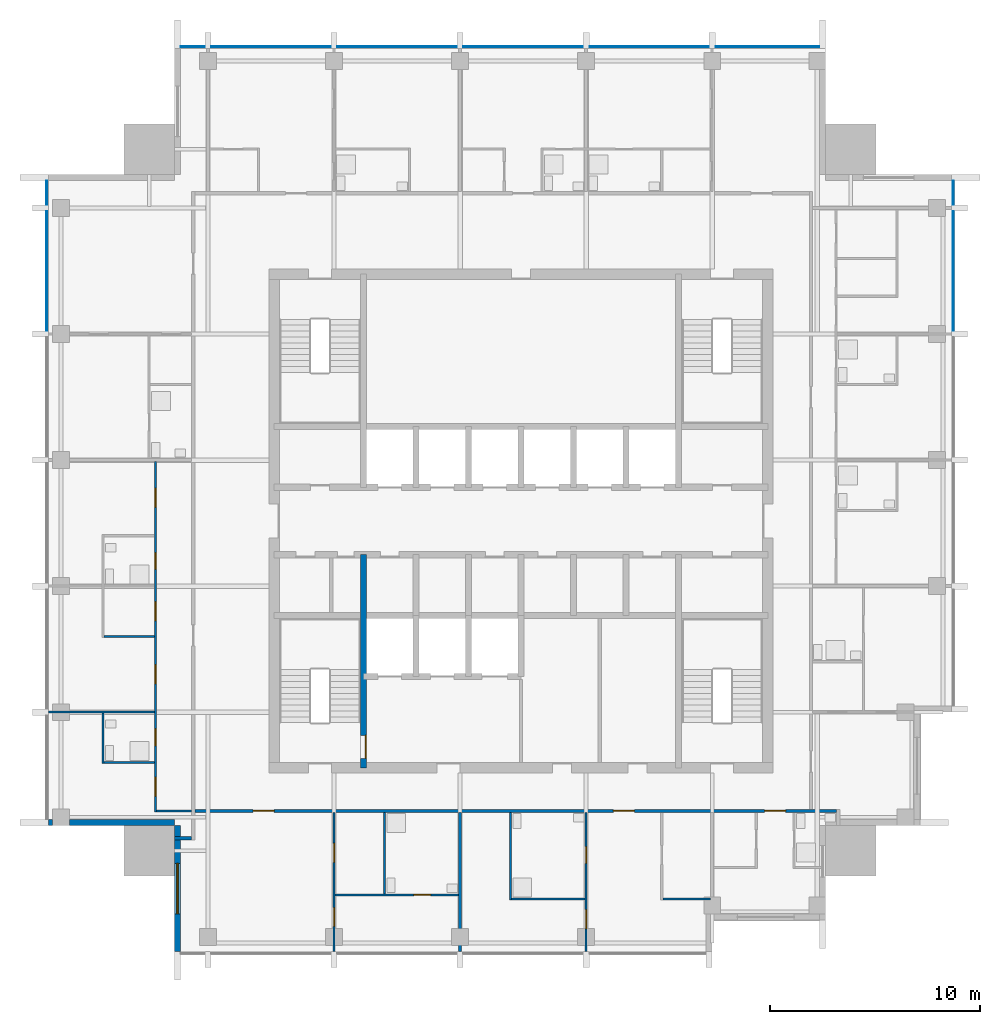
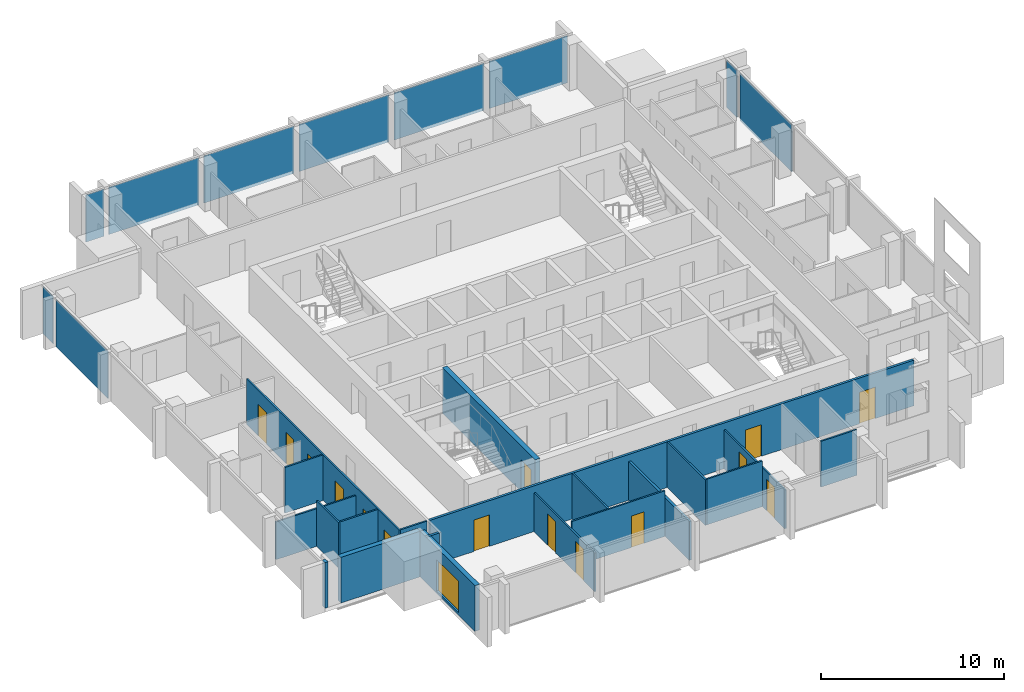
# One storey, part 3 of 9: 20 walls, 15 doors, 10 plates, 1 window, 16 openings, 3 elements without a shape of their own.
"""IFC4 building model written with IfcOpenShell, lengths in metres."""

from ifc_helpers import new_model, si_unit, direction, frame, frame_2d, origin, origin_2d, place, context, subcontext, project, spatial, rectangle, extrude, material, layer, layer_set, type_object, element, fill, aggregate, save


model = new_model("IFC4")

# Units and contexts
model_context = context("Model", 3, precision=1e-05, world=origin(), true_north=direction((0.0, 1.0)))
body_context = subcontext(model_context, "Body", "Model", "MODEL_VIEW")
ifc_project = project(units=[si_unit("LENGTHUNIT", "METRE"), si_unit("AREAUNIT", "SQUARE_METRE"), si_unit("VOLUMEUNIT", "CUBIC_METRE"), si_unit("PLANEANGLEUNIT", "RADIAN"), si_unit("MASSUNIT", "GRAM", prefix="KILO")], contexts=[model_context])

# Site, building, storey
site_placement = place(None, origin())
site = spatial("IfcSite", under=ifc_project, at=site_placement, CompositionType="ELEMENT")
building_placement = place(site_placement, origin())
building = spatial("IfcBuilding", under=site, at=building_placement, Name="Amberfall Residences", CompositionType="ELEMENT")
storey_placement = place(building_placement, frame((0.0, 0.0, 258.699951171875)))
storey = spatial("IfcBuildingStorey", under=building, at=storey_placement, Name="L69", CompositionType="ELEMENT", Elevation=258.699951171875)

# Curtain wall, plates
ifc_material_1 = material(Name="Bronze anodised aluminium and glass", Category="aluminium")
curtain_wall_type = type_object("IfcCurtainWallType", Name="Curtain wall CW1 tower unit", PredefinedType="USERDEFINED", material=ifc_material_1)
curtain_wall_1_placement = place(storey_placement, origin())
curtain_wall_1 = element("IfcCurtainWall", 1, at=curtain_wall_1_placement, inside=storey, type_object=curtain_wall_type, Name="Curtain wall L69 E E3", ObjectType="UNITISED CURTAIN WALL", PredefinedType="USERDEFINED")
ifc_material_2 = material(Name="Tinted double glazed unit", Category="glass")
ifc_layer_1 = layer(ifc_material_2, 0.035888671875)
ifc_layer_set_1 = layer_set([ifc_layer_1], Name="CW1 panel 36 glazing")
plate_type = type_object("IfcPlateType", Name="CW1 panel 36 glazing", PredefinedType="CURTAIN_PANEL", material=ifc_layer_set_1)
plate_1_placement = place(storey_placement, frame((95.074951171875, 57.39990234375, -0.25), z_axis=(0.0, 0.0, 1.0), x_axis=(0.0, 1.0, 0.0)))
plate_1 = element("IfcPlate", 2, at=plate_1_placement, type_object=plate_type, Name="CW1 panel 4.1", PredefinedType="CURTAIN_PANEL", context=body_context, shape_type="SweptSolid", body=[
    extrude(rectangle(XDim=5.676025390625, YDim=0.035888671875, at=origin_2d()), origin(), (0.0, 0.0, 1.0), 3.14990234375),
])
plate_2_placement = place(storey_placement, frame((95.074951171875, 61.125, -0.25), z_axis=(0.0, 0.0, 1.0), x_axis=(0.0, 1.0, 0.0)))
plate_2 = element("IfcPlate", 3, at=plate_2_placement, type_object=plate_type, Name="CW1 panel 5.1", PredefinedType="CURTAIN_PANEL", context=body_context, shape_type="SweptSolid", body=[
    extrude(rectangle(XDim=1.1259765625, YDim=0.035888671875, at=origin_2d()), origin(), (0.0, 0.0, 1.0), 3.14990234375),
])
aggregate(curtain_wall_1, [plate_1, plate_2])

curtain_wall_2_placement = place(storey_placement, origin())
curtain_wall_2 = element("IfcCurtainWall", 4, at=curtain_wall_2_placement, inside=storey, type_object=curtain_wall_type, Name="Curtain wall L69 N N1", ObjectType="UNITISED CURTAIN WALL", PredefinedType="USERDEFINED")
plate_3_placement = place(storey_placement, frame((86.22509765625, 68.074951171875, -0.25), z_axis=(0.0, 0.0, 1.0), x_axis=(-1.0, 0.0, 0.0)))
plate_3 = element("IfcPlate", 5, at=plate_3_placement, type_object=plate_type, Name="CW1 panel 1.1", PredefinedType="CURTAIN_PANEL", context=body_context, shape_type="SweptSolid", body=[
    extrude(rectangle(XDim=4.926025390625, YDim=0.035888671875, at=origin_2d()), origin(), (0.0, 0.0, 1.0), 3.14990234375),
])
plate_4_placement = place(storey_placement, frame((80.60009765625, 68.074951171875, -0.25), z_axis=(0.0, 0.0, 1.0), x_axis=(-1.0, 0.0, 0.0)))
plate_4 = element("IfcPlate", 6, at=plate_4_placement, type_object=plate_type, Name="CW1 panel 2.1", PredefinedType="CURTAIN_PANEL", context=body_context, shape_type="SweptSolid", body=[
    extrude(rectangle(XDim=5.676025390625, YDim=0.035888671875, at=origin_2d()), origin(), (0.0, 0.0, 1.0), 3.14990234375),
])
plate_5_placement = place(storey_placement, frame((74.60009765625, 68.074951171875, -0.25), z_axis=(0.0, 0.0, 1.0), x_axis=(-1.0, 0.0, 0.0)))
plate_5 = element("IfcPlate", 7, at=plate_5_placement, type_object=plate_type, Name="CW1 panel 3.1", PredefinedType="CURTAIN_PANEL", context=body_context, shape_type="SweptSolid", body=[
    extrude(rectangle(XDim=5.676025390625, YDim=0.035888671875, at=origin_2d()), origin(), (0.0, 0.0, 1.0), 3.14990234375),
])
plate_6_placement = place(storey_placement, frame((68.60009765625, 68.074951171875, -0.25), z_axis=(0.0, 0.0, 1.0), x_axis=(-1.0, 0.0, 0.0)))
plate_6 = element("IfcPlate", 8, at=plate_6_placement, type_object=plate_type, Name="CW1 panel 4.1", PredefinedType="CURTAIN_PANEL", context=body_context, shape_type="SweptSolid", body=[
    extrude(rectangle(XDim=5.676025390625, YDim=0.035888671875, at=origin_2d()), origin(), (0.0, 0.0, 1.0), 3.14990234375),
])
plate_7_placement = place(storey_placement, frame((62.60009765625, 68.074951171875, -0.25), z_axis=(0.0, 0.0, 1.0), x_axis=(-1.0, 0.0, 0.0)))
plate_7 = element("IfcPlate", 9, at=plate_7_placement, type_object=plate_type, Name="CW1 panel 5.1", PredefinedType="CURTAIN_PANEL", context=body_context, shape_type="SweptSolid", body=[
    extrude(rectangle(XDim=5.676025390625, YDim=0.035888671875, at=origin_2d()), origin(), (0.0, 0.0, 1.0), 3.14990234375),
])
plate_8_placement = place(storey_placement, frame((58.875, 68.074951171875, -0.25), z_axis=(0.0, 0.0, 1.0), x_axis=(-1.0, 0.0, 0.0)))
plate_8 = element("IfcPlate", 10, at=plate_8_placement, type_object=plate_type, Name="CW1 panel 6.1", PredefinedType="CURTAIN_PANEL", context=body_context, shape_type="SweptSolid", body=[
    extrude(rectangle(XDim=1.1259765625, YDim=0.035888671875, at=origin_2d()), origin(), (0.0, 0.0, 1.0), 3.14990234375),
])
aggregate(curtain_wall_2, [plate_3, plate_4, plate_5, plate_6, plate_7, plate_8])

curtain_wall_3_placement = place(storey_placement, origin())
curtain_wall_3 = element("IfcCurtainWall", 11, at=curtain_wall_3_placement, inside=storey, type_object=curtain_wall_type, Name="Curtain wall L69 W W1", ObjectType="UNITISED CURTAIN WALL", PredefinedType="USERDEFINED")
plate_9_placement = place(storey_placement, frame((51.925048828125, 61.125, -0.25), z_axis=(0.0, 0.0, 1.0), x_axis=(0.0, -1.0, 0.0)))
plate_9 = element("IfcPlate", 12, at=plate_9_placement, type_object=plate_type, Name="CW1 panel 1.1", PredefinedType="CURTAIN_PANEL", context=body_context, shape_type="SweptSolid", body=[
    extrude(rectangle(XDim=1.1259765625, YDim=0.035888671875, at=origin_2d()), origin(), (0.0, 0.0, 1.0), 3.14990234375),
])
plate_10_placement = place(storey_placement, frame((51.925048828125, 57.39990234375, -0.25), z_axis=(0.0, 0.0, 1.0), x_axis=(0.0, -1.0, 0.0)))
plate_10 = element("IfcPlate", 13, at=plate_10_placement, type_object=plate_type, Name="CW1 panel 2.1", PredefinedType="CURTAIN_PANEL", context=body_context, shape_type="SweptSolid", body=[
    extrude(rectangle(XDim=5.676025390625, YDim=0.035888671875, at=origin_2d()), origin(), (0.0, 0.0, 1.0), 3.14990234375),
])
aggregate(curtain_wall_3, [plate_9, plate_10])

# Walls
ifc_material_3 = material(Name="Pale stone cladding on insulated backing", Category="masonry")
ifc_layer_2 = layer(ifc_material_3, 0.300048828125)
ifc_layer_set_2 = layer_set([ifc_layer_2], Name="Bronze clad wall 300")
wall_type_1 = type_object("IfcWallType", Name="Bronze clad wall 300", PredefinedType="SOLIDWALL", material=ifc_layer_set_2)
wall_1_placement = place(storey_placement, frame((52.0, 31.14990234375, 0.0), z_axis=(0.0, 0.0, 1.0), x_axis=(1.0, 0.0, 0.0)))
element("IfcWall", 14, at=wall_1_placement, inside=storey, type_object=wall_type_1, Name="External wall L69 SW", PredefinedType="SOLIDWALL", context=body_context, shape_type="SweptSolid", body=[
    extrude(rectangle(XDim=0.199951171875, YDim=0.300048828125, at=frame_2d((0.10009765625, 0.0))), origin(), (0.0, 0.0, 1.0), 3.050048828125),
])
wall_2_placement = place(storey_placement, frame((53.0, 31.14990234375, 0.0), z_axis=(0.0, 0.0, 1.0), x_axis=(1.0, 0.0, 0.0)))
element("IfcWall", 15, at=wall_2_placement, inside=storey, type_object=wall_type_1, Name="External wall L69 SW", PredefinedType="SOLIDWALL", context=body_context, shape_type="SweptSolid", body=[
    extrude(rectangle(XDim=5.0, YDim=0.300048828125, at=frame_2d((2.5, 0.0))), origin(), (0.0, 0.0, 1.0), 3.050048828125),
])

# Wall, opening, window
wall_3_placement = place(storey_placement, frame((58.14990234375, 31.0, 0.0), z_axis=(0.0, 0.0, 1.0), x_axis=(0.0, -1.0, 0.0)))
wall_3 = element("IfcWall", 16, at=wall_3_placement, inside=storey, type_object=wall_type_1, Name="External wall L69 SW", PredefinedType="SOLIDWALL", context=body_context, shape_type="SweptSolid", body=[
    extrude(rectangle(XDim=6.0, YDim=0.300048828125, at=frame_2d((3.0, 0.0))), origin(), (0.0, 0.0, 1.0), 3.050048828125),
])
opening_1_placement = place(wall_3_placement, frame((1.800048828125, 0.0, 0.14990234375)))
opening_1 = element("IfcOpeningElement", 17, at=opening_1_placement, cuts=wall_3, Name="Opening WN5", PredefinedType="OPENING", context=body_context, shape_type="SweptSolid", body=[
    extrude(rectangle(XDim=2.39990234375, YDim=2.10009765625, at=frame_2d((1.199951171875, 1.050048828125))), frame((0.0, 0.159912109375, 0.0), z_axis=(0.0, -1.0, 0.0), x_axis=(1.0, 0.0, 0.0)), (0.0, 0.0, 1.0), 0.320068359375),
])
ifc_material_4 = material(Name="Bronze aluminium framed glazing", Category="aluminium")
window_type = type_object("IfcWindowType", Name="Glazed opening 2400 x 2100 bronze", PartitioningType="DOUBLE_PANEL_VERTICAL", PredefinedType="WINDOW", material=ifc_material_4)
window_placement = place(opening_1_placement, origin())
window = element("IfcWindow", 18, at=window_placement, inside=storey, type_object=window_type, Name="Window L69 SW", OverallHeight=2.10009765625, OverallWidth=2.39990234375, PartitioningType="DOUBLE_PANEL_VERTICAL", PredefinedType="WINDOW", context=body_context, shape_type="SweptSolid", body=[
    extrude(rectangle(XDim=2.39990234375, YDim=2.10009765625, at=frame_2d((1.199951171875, 1.050048828125))), frame((0.0, 0.030029296875, 0.0), z_axis=(0.0, -1.0, 0.0), x_axis=(1.0, 0.0, 0.0)), (0.0, 0.0, 1.0), 0.06005859375),
])
fill(opening_1, window)

# Wall, opening, door
ifc_material_5 = material(Name="Concrete C50", Category="concrete")
ifc_layer_3 = layer(ifc_material_5, 0.300048828125)
ifc_layer_set_3 = layer_set([ifc_layer_3], Name="Core wall 300 C50")
wall_type_2 = type_object("IfcWallType", Name="Core wall 300 C50", PredefinedType="SHEAR", material=ifc_layer_set_3)
wall_4_placement = place(storey_placement, frame((67.0, 33.75, 0.0), z_axis=(0.0, 0.0, 1.0), x_axis=(0.0, 1.0, 0.0)))
wall_4 = element("IfcWall", 19, at=wall_4_placement, inside=storey, type_object=wall_type_2, Name="Core wall RW10 L69 V45S", PredefinedType="SHEAR", context=body_context, shape_type="SweptSolid", body=[
    extrude(rectangle(XDim=10.14990234375, YDim=0.300048828125, at=frame_2d((5.074951171875, 0.0))), origin(), (0.0, 0.0, 1.0), 3.050048828125),
])
opening_2_placement = place(wall_4_placement, frame((0.449951171875, 0.0, 0.0)))
opening_2 = element("IfcOpeningElement", 20, at=opening_2_placement, cuts=wall_4, Name="Opening FL1", PredefinedType="OPENING", context=body_context, shape_type="SweptSolid", body=[
    extrude(rectangle(XDim=1.10009765625, YDim=2.10009765625, at=frame_2d((0.550048828125, 1.050048828125))), frame((0.0, 0.159912109375, 0.0), z_axis=(0.0, -1.0, 0.0), x_axis=(1.0, 0.0, 0.0)), (0.0, 0.0, 1.0), 0.320068359375),
])
ifc_material_6 = material(Name="Steel fire door set", Category="steel")
door_type_1 = type_object("IfcDoorType", Name="Firefighting lobby door 1100 x 2100", OperationType="SINGLE_SWING_LEFT", PredefinedType="DOOR", material=ifc_material_6)
door_1_placement = place(opening_2_placement, origin())
door_1 = element("IfcDoor", 21, at=door_1_placement, inside=storey, type_object=door_type_1, Name="FL1 L69", OperationType="SINGLE_SWING_RIGHT", OverallHeight=2.10009765625, OverallWidth=1.10009765625, PredefinedType="DOOR", context=body_context, shape_type="SweptSolid", body=[
    extrude(rectangle(XDim=1.10009765625, YDim=2.10009765625, at=frame_2d((0.550048828125, 1.050048828125))), frame((0.0, -0.08740234375, 0.0), z_axis=(0.0, -1.0, 0.0), x_axis=(1.0, 0.0, 0.0)), (0.0, 0.0, 1.0), 0.050048828125),
])
fill(opening_2, door_1)

# Wall
ifc_material_7 = material(Name="Gypsum board on metal stud")
ifc_layer_4 = layer(ifc_material_7, 0.10009765625)
ifc_layer_set_4 = layer_set([ifc_layer_4], Name="Flat partition 100")
wall_type_3 = type_object("IfcWallType", Name="Flat partition 100", PredefinedType="PARTITIONING", material=ifc_layer_set_4)
wall_5_placement = place(storey_placement, frame((54.60009765625, 33.949951171875, 0.0), z_axis=(0.0, 0.0, 1.0), x_axis=(0.0, 1.0, 0.0)))
element("IfcWall", 22, at=wall_5_placement, inside=storey, type_object=wall_type_3, Name="Partition 001", PredefinedType="PARTITIONING", context=body_context, shape_type="SweptSolid", body=[
    extrude(rectangle(XDim=2.400146484375, YDim=0.10009765625, at=frame_2d((1.2001953125, 0.0))), origin(), (0.0, 0.0, 1.0), 3.050048828125),
])

# Wall, openings, doors
wall_6_placement = place(storey_placement, frame((57.10009765625, 31.64990234375, 0.0), z_axis=(0.0, 0.0, 1.0), x_axis=(0.0, 1.0, 0.0)))
wall_6 = element("IfcWall", 23, at=wall_6_placement, inside=storey, type_object=wall_type_3, Name="Partition 004", PredefinedType="PARTITIONING", context=body_context, shape_type="SweptSolid", body=[
    extrude(rectangle(XDim=16.675048828125, YDim=0.10009765625, at=frame_2d((8.33740234375, 0.0))), origin(), (0.0, 0.0, 1.0), 3.050048828125),
])
opening_3_placement = place(wall_6_placement, frame((6.10009765625, 0.0, 0.0)))
opening_3 = element("IfcOpeningElement", 24, at=opening_3_placement, cuts=wall_6, Name="Opening D41", PredefinedType="OPENING", context=body_context, shape_type="SweptSolid", body=[
    extrude(rectangle(XDim=0.89990234375, YDim=2.10009765625, at=frame_2d((0.449951171875, 1.050048828125))), frame((0.0, 0.06005859375, 0.0), z_axis=(0.0, -1.0, 0.0), x_axis=(1.0, 0.0, 0.0)), (0.0, 0.0, 1.0), 0.1201171875),
])
opening_4_placement = place(wall_6_placement, frame((9.10009765625, 0.0, 0.0)))
opening_4 = element("IfcOpeningElement", 25, at=opening_4_placement, cuts=wall_6, Name="Opening D41", PredefinedType="OPENING", context=body_context, shape_type="SweptSolid", body=[
    extrude(rectangle(XDim=0.89990234375, YDim=2.10009765625, at=frame_2d((0.449951171875, 1.050048828125))), frame((0.0, 0.06005859375, 0.0), z_axis=(0.0, -1.0, 0.0), x_axis=(1.0, 0.0, 0.0)), (0.0, 0.0, 1.0), 0.1201171875),
])
opening_5_placement = place(wall_6_placement, frame((0.75, 0.0, 0.0)))
opening_5 = element("IfcOpeningElement", 26, at=opening_5_placement, cuts=wall_6, Name="Opening D41", PredefinedType="OPENING", context=body_context, shape_type="SweptSolid", body=[
    extrude(rectangle(XDim=0.89990234375, YDim=2.10009765625, at=frame_2d((0.449951171875, 1.050048828125))), frame((0.0, 0.06005859375, 0.0), z_axis=(0.0, -1.0, 0.0), x_axis=(1.0, 0.0, 0.0)), (0.0, 0.0, 1.0), 0.1201171875),
])
opening_6_placement = place(wall_6_placement, frame((14.5, 0.0, 0.0)))
opening_6 = element("IfcOpeningElement", 27, at=opening_6_placement, cuts=wall_6, Name="Opening D41", PredefinedType="OPENING", context=body_context, shape_type="SweptSolid", body=[
    extrude(rectangle(XDim=0.89990234375, YDim=2.10009765625, at=frame_2d((0.449951171875, 1.050048828125))), frame((0.0, 0.06005859375, 0.0), z_axis=(0.0, -1.0, 0.0), x_axis=(1.0, 0.0, 0.0)), (0.0, 0.0, 1.0), 0.1201171875),
])
opening_7_placement = place(wall_6_placement, frame((3.14990234375, 0.0, 0.0)))
opening_7 = element("IfcOpeningElement", 28, at=opening_7_placement, cuts=wall_6, Name="Opening D42", PredefinedType="OPENING", context=body_context, shape_type="SweptSolid", body=[
    extrude(rectangle(XDim=0.800048828125, YDim=2.10009765625, at=frame_2d((0.39990234375, 1.050048828125))), frame((0.0, 0.06005859375, 0.0), z_axis=(0.0, -1.0, 0.0), x_axis=(1.0, 0.0, 0.0)), (0.0, 0.0, 1.0), 0.1201171875),
])
opening_8_placement = place(wall_6_placement, frame((11.550048828125, 0.0, 0.0)))
opening_8 = element("IfcOpeningElement", 29, at=opening_8_placement, cuts=wall_6, Name="Opening D42", PredefinedType="OPENING", context=body_context, shape_type="SweptSolid", body=[
    extrude(rectangle(XDim=0.800048828125, YDim=2.10009765625, at=frame_2d((0.39990234375, 1.050048828125))), frame((0.0, 0.06005859375, 0.0), z_axis=(0.0, -1.0, 0.0), x_axis=(1.0, 0.0, 0.0)), (0.0, 0.0, 1.0), 0.1201171875),
])
ifc_material_8 = material(Name="Timber", Category="wood")
door_type_2 = type_object("IfcDoorType", Name="Bathroom door 800 x 2100", OperationType="SINGLE_SWING_LEFT", PredefinedType="DOOR", material=ifc_material_8)
door_2_placement = place(opening_7_placement, origin())
door_2 = element("IfcDoor", 30, at=door_2_placement, inside=storey, type_object=door_type_2, Name="Door 6909 bath1", OperationType="SINGLE_SWING_LEFT", OverallHeight=2.10009765625, OverallWidth=0.800048828125, PredefinedType="DOOR", context=body_context, shape_type="SweptSolid", body=[
    extrude(rectangle(XDim=0.800048828125, YDim=2.10009765625, at=frame_2d((0.39990234375, 1.050048828125))), frame((0.0, 0.02490234375, 0.0), z_axis=(0.0, -1.0, 0.0), x_axis=(1.0, 0.0, 0.0)), (0.0, 0.0, 1.0), 0.050048828125),
])
fill(opening_7, door_2)
door_3_placement = place(opening_8_placement, origin())
door_3 = element("IfcDoor", 31, at=door_3_placement, inside=storey, type_object=door_type_2, Name="Door 6909 bath2", OperationType="SINGLE_SWING_LEFT", OverallHeight=2.10009765625, OverallWidth=0.800048828125, PredefinedType="DOOR", context=body_context, shape_type="SweptSolid", body=[
    extrude(rectangle(XDim=0.800048828125, YDim=2.10009765625, at=frame_2d((0.39990234375, 1.050048828125))), frame((0.0, 0.02490234375, 0.0), z_axis=(0.0, -1.0, 0.0), x_axis=(1.0, 0.0, 0.0)), (0.0, 0.0, 1.0), 0.050048828125),
])
fill(opening_8, door_3)
door_type_3 = type_object("IfcDoorType", Name="Internal door 900 x 2100", OperationType="SINGLE_SWING_LEFT", PredefinedType="DOOR", material=ifc_material_8)
door_4_placement = place(opening_3_placement, origin())
door_4 = element("IfcDoor", 32, at=door_4_placement, inside=storey, type_object=door_type_3, Name="Door 6909 living", OperationType="SINGLE_SWING_LEFT", OverallHeight=2.10009765625, OverallWidth=0.89990234375, PredefinedType="DOOR", context=body_context, shape_type="SweptSolid", body=[
    extrude(rectangle(XDim=0.89990234375, YDim=2.10009765625, at=frame_2d((0.449951171875, 1.050048828125))), frame((0.0, 0.02490234375, 0.0), z_axis=(0.0, -1.0, 0.0), x_axis=(1.0, 0.0, 0.0)), (0.0, 0.0, 1.0), 0.050048828125),
])
fill(opening_3, door_4)
door_5_placement = place(opening_4_placement, origin())
door_5 = element("IfcDoor", 33, at=door_5_placement, inside=storey, type_object=door_type_3, Name="Door 6909 kitchen", OperationType="SINGLE_SWING_LEFT", OverallHeight=2.10009765625, OverallWidth=0.89990234375, PredefinedType="DOOR", context=body_context, shape_type="SweptSolid", body=[
    extrude(rectangle(XDim=0.89990234375, YDim=2.10009765625, at=frame_2d((0.449951171875, 1.050048828125))), frame((0.0, 0.02490234375, 0.0), z_axis=(0.0, -1.0, 0.0), x_axis=(1.0, 0.0, 0.0)), (0.0, 0.0, 1.0), 0.050048828125),
])
fill(opening_4, door_5)
door_6_placement = place(opening_5_placement, origin())
door_6 = element("IfcDoor", 34, at=door_6_placement, inside=storey, type_object=door_type_3, Name="Door 6909 bedroom1", OperationType="SINGLE_SWING_LEFT", OverallHeight=2.10009765625, OverallWidth=0.89990234375, PredefinedType="DOOR", context=body_context, shape_type="SweptSolid", body=[
    extrude(rectangle(XDim=0.89990234375, YDim=2.10009765625, at=frame_2d((0.449951171875, 1.050048828125))), frame((0.0, 0.02490234375, 0.0), z_axis=(0.0, -1.0, 0.0), x_axis=(1.0, 0.0, 0.0)), (0.0, 0.0, 1.0), 0.050048828125),
])
fill(opening_5, door_6)
door_7_placement = place(opening_6_placement, origin())
door_7 = element("IfcDoor", 35, at=door_7_placement, inside=storey, type_object=door_type_3, Name="Door 6909 bedroom2", OperationType="SINGLE_SWING_LEFT", OverallHeight=2.10009765625, OverallWidth=0.89990234375, PredefinedType="DOOR", context=body_context, shape_type="SweptSolid", body=[
    extrude(rectangle(XDim=0.89990234375, YDim=2.10009765625, at=frame_2d((0.449951171875, 1.050048828125))), frame((0.0, 0.02490234375, 0.0), z_axis=(0.0, -1.0, 0.0), x_axis=(1.0, 0.0, 0.0)), (0.0, 0.0, 1.0), 0.050048828125),
])
fill(opening_6, door_7)

wall_7_placement = place(storey_placement, frame((65.60009765625, 31.625, 0.0), z_axis=(0.0, 0.0, 1.0), x_axis=(0.0, -1.0, 0.0)))
wall_7 = element("IfcWall", 36, at=wall_7_placement, inside=storey, type_object=wall_type_3, Name="Partition 006", PredefinedType="PARTITIONING", context=body_context, shape_type="SweptSolid", body=[
    extrude(rectangle(XDim=6.625, YDim=0.10009765625, at=frame_2d((3.3125, 0.0))), origin(), (0.0, 0.0, 1.0), 2.589111328125),
])
opening_9_placement = place(wall_7_placement, frame((1.47509765625, 0.0, 0.0)))
opening_9 = element("IfcOpeningElement", 37, at=opening_9_placement, cuts=wall_7, Name="Opening D41", PredefinedType="OPENING", context=body_context, shape_type="SweptSolid", body=[
    extrude(rectangle(XDim=0.89990234375, YDim=2.10009765625, at=frame_2d((0.449951171875, 1.050048828125))), frame((0.0, 0.06005859375, 0.0), z_axis=(0.0, -1.0, 0.0), x_axis=(1.0, 0.0, 0.0)), (0.0, 0.0, 1.0), 0.1201171875),
])
opening_10_placement = place(wall_7_placement, frame((4.52490234375, 0.0, 0.0)))
opening_10 = element("IfcOpeningElement", 38, at=opening_10_placement, cuts=wall_7, Name="Opening D41", PredefinedType="OPENING", context=body_context, shape_type="SweptSolid", body=[
    extrude(rectangle(XDim=0.89990234375, YDim=2.10009765625, at=frame_2d((0.449951171875, 1.050048828125))), frame((0.0, 0.06005859375, 0.0), z_axis=(0.0, -1.0, 0.0), x_axis=(1.0, 0.0, 0.0)), (0.0, 0.0, 1.0), 0.1201171875),
])
door_8_placement = place(opening_9_placement, origin())
door_8 = element("IfcDoor", 39, at=door_8_placement, inside=storey, type_object=door_type_3, Name="Door 6901 kitchen", OperationType="SINGLE_SWING_LEFT", OverallHeight=2.10009765625, OverallWidth=0.89990234375, PredefinedType="DOOR", context=body_context, shape_type="SweptSolid", body=[
    extrude(rectangle(XDim=0.89990234375, YDim=2.10009765625, at=frame_2d((0.449951171875, 1.050048828125))), frame((0.0, 0.02490234375, 0.0), z_axis=(0.0, -1.0, 0.0), x_axis=(1.0, 0.0, 0.0)), (0.0, 0.0, 1.0), 0.050048828125),
])
fill(opening_9, door_8)
door_9_placement = place(opening_10_placement, origin())
door_9 = element("IfcDoor", 40, at=door_9_placement, inside=storey, type_object=door_type_3, Name="Door 6901 bedroom1", OperationType="SINGLE_SWING_LEFT", OverallHeight=2.10009765625, OverallWidth=0.89990234375, PredefinedType="DOOR", context=body_context, shape_type="SweptSolid", body=[
    extrude(rectangle(XDim=0.89990234375, YDim=2.10009765625, at=frame_2d((0.449951171875, 1.050048828125))), frame((0.0, 0.02490234375, 0.0), z_axis=(0.0, -1.0, 0.0), x_axis=(1.0, 0.0, 0.0)), (0.0, 0.0, 1.0), 0.050048828125),
])
fill(opening_10, door_9)

# Walls
wall_8_placement = place(storey_placement, frame((68.0, 27.75, 0.0), z_axis=(0.0, 0.0, 1.0), x_axis=(0.0, 1.0, 0.0)))
element("IfcWall", 41, at=wall_8_placement, inside=storey, type_object=wall_type_3, Name="Partition 008", PredefinedType="PARTITIONING", context=body_context, shape_type="SweptSolid", body=[
    extrude(rectangle(XDim=3.875, YDim=0.10009765625, at=frame_2d((1.9375, 0.0))), origin(), (0.0, 0.0, 1.0), 3.050048828125),
])
wall_9_placement = place(storey_placement, frame((74.0, 27.449951171875, 0.0), z_axis=(0.0, 0.0, 1.0), x_axis=(0.0, 1.0, 0.0)))
element("IfcWall", 42, at=wall_9_placement, inside=storey, type_object=wall_type_3, Name="Partition 011", PredefinedType="PARTITIONING", context=body_context, shape_type="SweptSolid", body=[
    extrude(rectangle(XDim=4.175048828125, YDim=0.10009765625, at=frame_2d((2.08740234375, 0.0))), origin(), (0.0, 0.0, 1.0), 3.050048828125),
])

# Wall, openings, doors
wall_10_placement = place(storey_placement, frame((77.60009765625, 25.0, 0.0), z_axis=(0.0, 0.0, 1.0), x_axis=(0.0, 1.0, 0.0)))
wall_10 = element("IfcWall", 43, at=wall_10_placement, inside=storey, type_object=wall_type_3, Name="Partition 013", PredefinedType="PARTITIONING", context=body_context, shape_type="SweptSolid", body=[
    extrude(rectangle(XDim=6.625, YDim=0.10009765625, at=frame_2d((3.3125, 0.0))), origin(), (0.0, 0.0, 1.0), 2.589111328125),
])
opening_11_placement = place(wall_10_placement, frame((1.10009765625, 0.0, 0.0)))
opening_11 = element("IfcOpeningElement", 44, at=opening_11_placement, cuts=wall_10, Name="Opening D41", PredefinedType="OPENING", context=body_context, shape_type="SweptSolid", body=[
    extrude(rectangle(XDim=0.89990234375, YDim=2.10009765625, at=frame_2d((0.449951171875, 1.050048828125))), frame((0.0, 0.06005859375, 0.0), z_axis=(0.0, -1.0, 0.0), x_axis=(1.0, 0.0, 0.0)), (0.0, 0.0, 1.0), 0.1201171875),
])
opening_12_placement = place(wall_10_placement, frame((4.199951171875, 0.0, 0.0)))
opening_12 = element("IfcOpeningElement", 45, at=opening_12_placement, cuts=wall_10, Name="Opening D42", PredefinedType="OPENING", context=body_context, shape_type="SweptSolid", body=[
    extrude(rectangle(XDim=0.800048828125, YDim=2.10009765625, at=frame_2d((0.39990234375, 1.050048828125))), frame((0.0, 0.06005859375, 0.0), z_axis=(0.0, -1.0, 0.0), x_axis=(1.0, 0.0, 0.0)), (0.0, 0.0, 1.0), 0.1201171875),
])
door_10_placement = place(opening_12_placement, origin())
door_10 = element("IfcDoor", 46, at=door_10_placement, inside=storey, type_object=door_type_2, Name="Door 6902 bath1", OperationType="SINGLE_SWING_LEFT", OverallHeight=2.10009765625, OverallWidth=0.800048828125, PredefinedType="DOOR", context=body_context, shape_type="SweptSolid", body=[
    extrude(rectangle(XDim=0.800048828125, YDim=2.10009765625, at=frame_2d((0.39990234375, 1.050048828125))), frame((0.0, 0.02490234375, 0.0), z_axis=(0.0, -1.0, 0.0), x_axis=(1.0, 0.0, 0.0)), (0.0, 0.0, 1.0), 0.050048828125),
])
fill(opening_12, door_10)
door_11_placement = place(opening_11_placement, origin())
door_11 = element("IfcDoor", 47, at=door_11_placement, inside=storey, type_object=door_type_3, Name="Door 6902 bedroom1", OperationType="SINGLE_SWING_LEFT", OverallHeight=2.10009765625, OverallWidth=0.89990234375, PredefinedType="DOOR", context=body_context, shape_type="SweptSolid", body=[
    extrude(rectangle(XDim=0.89990234375, YDim=2.10009765625, at=frame_2d((0.449951171875, 1.050048828125))), frame((0.0, 0.02490234375, 0.0), z_axis=(0.0, -1.0, 0.0), x_axis=(1.0, 0.0, 0.0)), (0.0, 0.0, 1.0), 0.050048828125),
])
fill(opening_11, door_11)

# Walls
wall_11_placement = place(storey_placement, frame((54.64990234375, 40.0, 0.0), z_axis=(0.0, 0.0, 1.0), x_axis=(1.0, 0.0, 0.0)))
element("IfcWall", 48, at=wall_11_placement, inside=storey, type_object=wall_type_3, Name="Partition 038", PredefinedType="PARTITIONING", context=body_context, shape_type="SweptSolid", body=[
    extrude(rectangle(XDim=2.400146484375, YDim=0.10009765625, at=frame_2d((1.2001953125, 0.0))), origin(), (0.0, 0.0, 1.0), 3.050048828125),
])
wall_12_placement = place(storey_placement, frame((52.0, 36.39990234375, 0.0), z_axis=(0.0, 0.0, 1.0), x_axis=(1.0, 0.0, 0.0)))
element("IfcWall", 49, at=wall_12_placement, inside=storey, type_object=wall_type_3, Name="Partition 040", PredefinedType="PARTITIONING", context=body_context, shape_type="SweptSolid", body=[
    extrude(rectangle(XDim=5.050048828125, YDim=0.10009765625, at=frame_2d((2.52490234375, 0.0))), origin(), (0.0, 0.0, 1.0), 2.51611328125),
])
wall_13_placement = place(storey_placement, frame((54.64990234375, 34.0, 0.0), z_axis=(0.0, 0.0, 1.0), x_axis=(1.0, 0.0, 0.0)))
element("IfcWall", 50, at=wall_13_placement, inside=storey, type_object=wall_type_3, Name="Partition 042", PredefinedType="PARTITIONING", context=body_context, shape_type="SweptSolid", body=[
    extrude(rectangle(XDim=2.400146484375, YDim=0.10009765625, at=frame_2d((1.2001953125, 0.0))), origin(), (0.0, 0.0, 1.0), 3.050048828125),
])
wall_14_placement = place(storey_placement, frame((57.14990234375, 31.699951171875, 0.0), z_axis=(0.0, 0.0, 1.0), x_axis=(1.0, 0.0, 0.0)))
element("IfcWall", 51, at=wall_14_placement, inside=storey, type_object=wall_type_3, Name="Partition 043", PredefinedType="PARTITIONING", context=body_context, shape_type="SweptSolid", body=[
    extrude(rectangle(XDim=1.675048828125, YDim=0.10009765625, at=frame_2d((0.83740234375, 0.0))), origin(), (0.0, 0.0, 1.0), 3.050048828125),
])

# Wall, opening, door
wall_15_placement = place(storey_placement, frame((65.64990234375, 27.699951171875, 0.0), z_axis=(0.0, 0.0, 1.0), x_axis=(1.0, 0.0, 0.0)))
wall_15 = element("IfcWall", 52, at=wall_15_placement, inside=storey, type_object=wall_type_3, Name="Partition 046", PredefinedType="PARTITIONING", context=body_context, shape_type="SweptSolid", body=[
    extrude(rectangle(XDim=5.875, YDim=0.10009765625, at=frame_2d((2.9375, 0.0))), origin(), (0.0, 0.0, 1.0), 3.050048828125),
])
opening_13_placement = place(wall_15_placement, frame((3.75, 0.0, 0.0)))
opening_13 = element("IfcOpeningElement", 53, at=opening_13_placement, cuts=wall_15, Name="Opening D42", PredefinedType="OPENING", context=body_context, shape_type="SweptSolid", body=[
    extrude(rectangle(XDim=0.800048828125, YDim=2.10009765625, at=frame_2d((0.39990234375, 1.050048828125))), frame((0.0, 0.06005859375, 0.0), z_axis=(0.0, -1.0, 0.0), x_axis=(1.0, 0.0, 0.0)), (0.0, 0.0, 1.0), 0.1201171875),
])
door_12_placement = place(opening_13_placement, origin())
door_12 = element("IfcDoor", 54, at=door_12_placement, inside=storey, type_object=door_type_2, Name="Door 6901 bath1", OperationType="SINGLE_SWING_LEFT", OverallHeight=2.10009765625, OverallWidth=0.800048828125, PredefinedType="DOOR", context=body_context, shape_type="SweptSolid", body=[
    extrude(rectangle(XDim=0.800048828125, YDim=2.10009765625, at=frame_2d((0.39990234375, 1.050048828125))), frame((0.0, 0.02490234375, 0.0), z_axis=(0.0, -1.0, 0.0), x_axis=(1.0, 0.0, 0.0)), (0.0, 0.0, 1.0), 0.050048828125),
])
fill(opening_13, door_12)

# Walls
wall_16_placement = place(storey_placement, frame((74.050048828125, 27.5, 0.0), z_axis=(0.0, 0.0, 1.0), x_axis=(1.0, 0.0, 0.0)))
element("IfcWall", 55, at=wall_16_placement, inside=storey, type_object=wall_type_3, Name="Partition 047", PredefinedType="PARTITIONING", context=body_context, shape_type="SweptSolid", body=[
    extrude(rectangle(XDim=3.5, YDim=0.10009765625, at=frame_2d((1.75, 0.0))), origin(), (0.0, 0.0, 1.0), 3.050048828125),
])
wall_17_placement = place(storey_placement, frame((81.25, 27.5, 0.0), z_axis=(0.0, 0.0, 1.0), x_axis=(1.0, 0.0, 0.0)))
element("IfcWall", 56, at=wall_17_placement, inside=storey, type_object=wall_type_3, Name="Partition 048", PredefinedType="PARTITIONING", context=body_context, shape_type="SweptSolid", body=[
    extrude(rectangle(XDim=2.27490234375, YDim=0.10009765625, at=frame_2d((1.137451171875, 0.0))), origin(), (0.0, 0.0, 1.0), 3.050048828125),
])
ifc_material_9 = material(Name="Blockwork, plastered", Category="masonry")
ifc_layer_5 = layer(ifc_material_9, 0.14990234375)
ifc_layer_set_5 = layer_set([ifc_layer_5], Name="Flat separating wall 150")
wall_type_4 = type_object("IfcWallType", Name="Flat separating wall 150", PredefinedType="PARTITIONING", material=ifc_layer_set_5)
wall_18_placement = place(storey_placement, frame((71.60009765625, 25.0, 0.0), z_axis=(0.0, 0.0, 1.0), x_axis=(0.0, 1.0, 0.0)))
element("IfcWall", 57, at=wall_18_placement, inside=storey, type_object=wall_type_4, Name="Separating wall 051", PredefinedType="PARTITIONING", context=body_context, shape_type="SweptSolid", body=[
    extrude(rectangle(XDim=6.625, YDim=0.14990234375, at=frame_2d((3.3125, 0.0))), origin(), (0.0, 0.0, 1.0), 2.589111328125),
])

# Wall, openings, doors
wall_19_placement = place(storey_placement, frame((89.52490234375, 31.699951171875, 0.0), z_axis=(0.0, 0.0, 1.0), x_axis=(-1.0, 0.0, 0.0)))
wall_19 = element("IfcWall", 58, at=wall_19_placement, inside=storey, type_object=wall_type_4, Name="Separating wall 061", PredefinedType="PARTITIONING", context=body_context, shape_type="SweptSolid", body=[
    extrude(rectangle(XDim=30.5498046875, YDim=0.14990234375, at=frame_2d((15.27490234375, 0.0))), origin(), (0.0, 0.0, 1.0), 3.050048828125),
])
opening_14_placement = place(wall_19_placement, frame((26.77490234375, 0.0, 0.0)))
opening_14 = element("IfcOpeningElement", 59, at=opening_14_placement, cuts=wall_19, Name="Opening D40", PredefinedType="OPENING", context=body_context, shape_type="SweptSolid", body=[
    extrude(rectangle(XDim=1.0, YDim=2.10009765625, at=frame_2d((0.5, 1.050048828125))), frame((0.0, 0.0849609375, 0.0), z_axis=(0.0, -1.0, 0.0), x_axis=(1.0, 0.0, 0.0)), (0.0, 0.0, 1.0), 0.169921875),
])
opening_15_placement = place(wall_19_placement, frame((9.625, 0.0, 0.0)))
opening_15 = element("IfcOpeningElement", 60, at=opening_15_placement, cuts=wall_19, Name="Opening D40", PredefinedType="OPENING", context=body_context, shape_type="SweptSolid", body=[
    extrude(rectangle(XDim=1.0, YDim=2.10009765625, at=frame_2d((0.5, 1.050048828125))), frame((0.0, 0.0849609375, 0.0), z_axis=(0.0, -1.0, 0.0), x_axis=(1.0, 0.0, 0.0)), (0.0, 0.0, 1.0), 0.169921875),
])
opening_16_placement = place(wall_19_placement, frame((2.425048828125, 0.0, 0.0)))
opening_16 = element("IfcOpeningElement", 61, at=opening_16_placement, cuts=wall_19, Name="Opening D40", PredefinedType="OPENING", context=body_context, shape_type="SweptSolid", body=[
    extrude(rectangle(XDim=1.0, YDim=2.10009765625, at=frame_2d((0.5, 1.050048828125))), frame((0.0, 0.0849609375, 0.0), z_axis=(0.0, -1.0, 0.0), x_axis=(1.0, 0.0, 0.0)), (0.0, 0.0, 1.0), 0.169921875),
])
ifc_material_10 = material(Name="Timber, fire-rated", Category="wood")
door_type_4 = type_object("IfcDoorType", Name="Flat entrance door FD60 1000 x 2100", OperationType="SINGLE_SWING_LEFT", PredefinedType="DOOR", material=ifc_material_10)
door_13_placement = place(opening_14_placement, origin())
door_13 = element("IfcDoor", 62, at=door_13_placement, inside=storey, type_object=door_type_4, Name="Door 6901 entrance", OperationType="SINGLE_SWING_LEFT", OverallHeight=2.10009765625, OverallWidth=1.0, PredefinedType="DOOR", context=body_context, shape_type="SweptSolid", body=[
    extrude(rectangle(XDim=1.0, YDim=2.10009765625, at=frame_2d((0.5, 1.050048828125))), frame((0.0, 0.02490234375, 0.0), z_axis=(0.0, -1.0, 0.0), x_axis=(1.0, 0.0, 0.0)), (0.0, 0.0, 1.0), 0.050048828125),
])
fill(opening_14, door_13)
door_14_placement = place(opening_15_placement, origin())
door_14 = element("IfcDoor", 63, at=door_14_placement, inside=storey, type_object=door_type_4, Name="Door 6902 entrance", OperationType="SINGLE_SWING_LEFT", OverallHeight=2.10009765625, OverallWidth=1.0, PredefinedType="DOOR", context=body_context, shape_type="SweptSolid", body=[
    extrude(rectangle(XDim=1.0, YDim=2.10009765625, at=frame_2d((0.5, 1.050048828125))), frame((0.0, 0.02490234375, 0.0), z_axis=(0.0, -1.0, 0.0), x_axis=(1.0, 0.0, 0.0)), (0.0, 0.0, 1.0), 0.050048828125),
])
fill(opening_15, door_14)
door_15_placement = place(opening_16_placement, origin())
door_15 = element("IfcDoor", 64, at=door_15_placement, inside=storey, type_object=door_type_4, Name="Door 6903 entrance", OperationType="SINGLE_SWING_LEFT", OverallHeight=2.10009765625, OverallWidth=1.0, PredefinedType="DOOR", context=body_context, shape_type="SweptSolid", body=[
    extrude(rectangle(XDim=1.0, YDim=2.10009765625, at=frame_2d((0.5, 1.050048828125))), frame((0.0, 0.02490234375, 0.0), z_axis=(0.0, -1.0, 0.0), x_axis=(1.0, 0.0, 0.0)), (0.0, 0.0, 1.0), 0.050048828125),
])
fill(opening_16, door_15)

# Wall
wall_20_placement = place(storey_placement, frame((58.0, 30.39990234375, 0.0), z_axis=(0.0, 0.0, 1.0), x_axis=(1.0, 0.0, 0.0)))
element("IfcWall", 65, at=wall_20_placement, inside=storey, type_object=wall_type_4, Name="Separating wall 062", PredefinedType="PARTITIONING", context=body_context, shape_type="SweptSolid", body=[
    extrude(rectangle(XDim=0.824951171875, YDim=0.14990234375, at=frame_2d((0.41259765625, 0.0))), origin(), (0.0, 0.0, 1.0), 3.050048828125),
])

save(model, "model.ifc")
